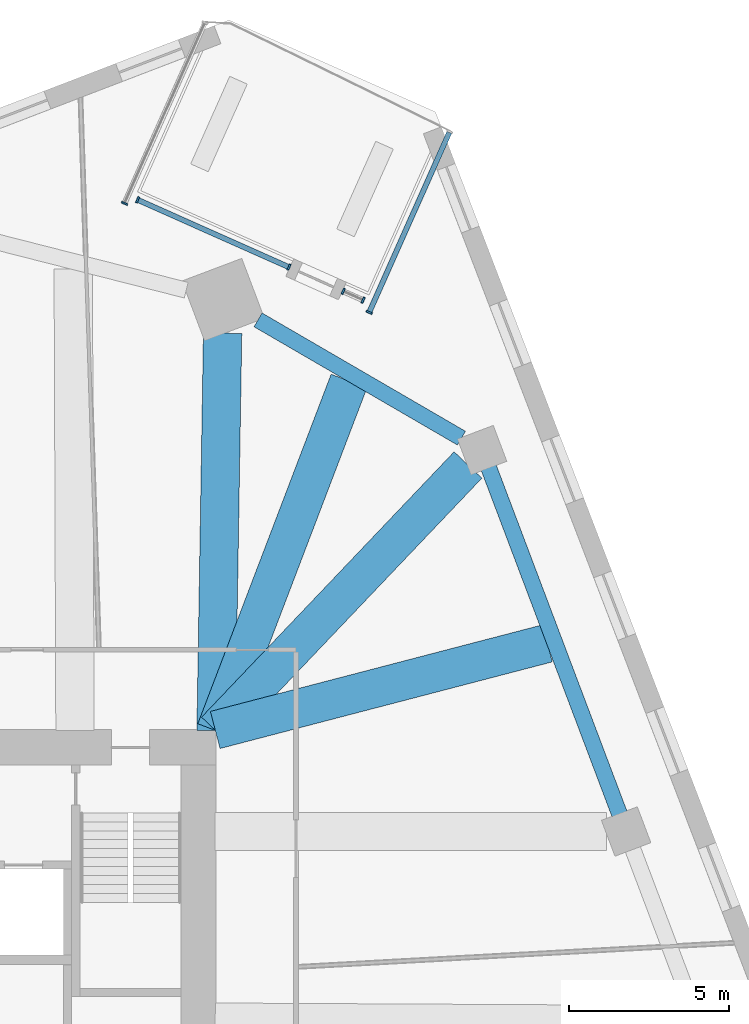
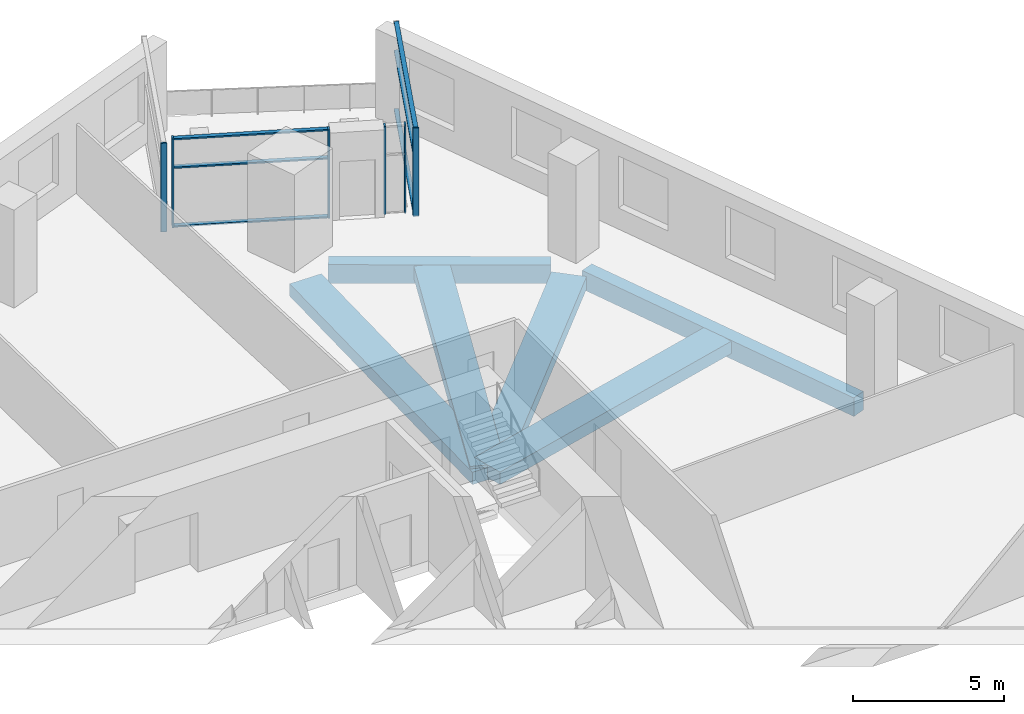
# One storey, part 2 of 14: 12 members, 6 beams, 4 elements without a shape of their own.
"""IFC4 building model written with IfcOpenShell, lengths in metres."""

from ifc_helpers import new_model, si_unit, direction, frame, origin, origin_2d, place, context, subcontext, project, spatial, rectangle, extrude, material, material_profile, profile_set, type_object, element, aggregate, save


model = new_model("IFC4")

# Units and contexts
model_context = context("Model", 3, precision=1e-05, world=origin(), true_north=direction((0.0, 1.0)))
body_context = subcontext(model_context, "Body", "Model", "MODEL_VIEW")
ifc_project = project(units=[si_unit("LENGTHUNIT", "METRE"), si_unit("AREAUNIT", "SQUARE_METRE"), si_unit("VOLUMEUNIT", "CUBIC_METRE"), si_unit("PLANEANGLEUNIT", "RADIAN"), si_unit("MASSUNIT", "GRAM", prefix="KILO")], contexts=[model_context])

# Site, building, storey
site_placement = place(None, origin())
site = spatial("IfcSite", under=ifc_project, at=site_placement, CompositionType="ELEMENT")
building_placement = place(site_placement, origin())
building = spatial("IfcBuilding", under=site, at=building_placement, Name="Dilmun Exchange Tower", CompositionType="ELEMENT")
storey_placement = place(building_placement, frame((0.0, 0.0, 110.10009765625)))
storey = spatial("IfcBuildingStorey", under=building, at=storey_placement, Name="L25", CompositionType="ELEMENT", Elevation=110.10009765625)

# Curtain wall, member
ifc_material_1 = material(Name="Anodised aluminium and clear glass", Category="aluminium")
curtain_wall_type = type_object("IfcCurtainWallType", Name="Garden corner glazing", PredefinedType="NOTDEFINED", material=ifc_material_1)
curtain_wall_1_placement = place(storey_placement, origin())
curtain_wall_1 = element("IfcCurtainWall", 1, at=curtain_wall_1_placement, inside=storey, type_object=curtain_wall_type, Name="Garden corner glazing run GC1.1", PredefinedType="NOTDEFINED")
ifc_material_2 = material(Name="Anodised aluminium", Category="aluminium")
ifc_material_profile_1 = material_profile(ifc_material_2, rectangle(XDim=0.199951171875, YDim=0.06005859375, at=origin_2d()), Name="AL 60x200")
ifc_profile_set_1 = profile_set([ifc_material_profile_1], Name="Anodised aluminium")
member_type_1 = type_object("IfcMemberType", Name="Garden corner glazing mullion 60 x 200", PredefinedType="MULLION", material=ifc_profile_set_1)
member_1_placement = place(storey_placement, frame((17.689697265625, 25.95556640625, 0.0), z_axis=(0.0, 0.0, 1.0), x_axis=(0.913542660018, -0.406742926585, 0.0)))
member_1 = element("IfcMember", 2, at=member_1_placement, type_object=member_type_1, Name="GC1.1 mullion 2", PredefinedType="MULLION", context=body_context, shape_type="SweptSolid", body=[
    extrude(rectangle(XDim=0.199951171875, YDim=0.06005859375, at=origin_2d()), origin(), (0.0, 0.0, 1.0), 3.579833984375),
])

# Curtain wall, members
curtain_wall_2_placement = place(storey_placement, origin())
curtain_wall_2 = element("IfcCurtainWall", 3, at=curtain_wall_2_placement, inside=storey, type_object=curtain_wall_type, Name="Garden corner glazing run GC2.1", PredefinedType="NOTDEFINED")
member_2_placement = place(storey_placement, frame((17.498046875, 26.33642578125, 0.0), z_axis=(0.0, 0.0, 1.0), x_axis=(-0.406828767469, -0.913504435654, 0.0)))
member_2 = element("IfcMember", 4, at=member_2_placement, type_object=member_type_1, Name="GC2.1 mullion 1", PredefinedType="MULLION", context=body_context, shape_type="SweptSolid", body=[
    extrude(rectangle(XDim=0.199951171875, YDim=0.06005859375, at=origin_2d()), origin(), (0.0, 0.0, 1.0), 3.579833984375),
])
member_3_placement = place(storey_placement, frame((16.877685546875, 26.61279296875, 0.0), z_axis=(0.0, 0.0, 1.0), x_axis=(-0.406828767469, -0.913504435654, 0.0)))
member_3 = element("IfcMember", 5, at=member_3_placement, type_object=member_type_1, Name="GC2.1 mullion 2", PredefinedType="MULLION", context=body_context, shape_type="SweptSolid", body=[
    extrude(rectangle(XDim=0.199951171875, YDim=0.06005859375, at=origin_2d()), origin(), (0.0, 0.0, 1.0), 3.579833984375),
])
aggregate(curtain_wall_2, [member_2, member_3])

curtain_wall_3_placement = place(storey_placement, origin())
curtain_wall_3 = element("IfcCurtainWall", 6, at=curtain_wall_3_placement, inside=storey, type_object=curtain_wall_type, Name="Garden corner glazing run GC2.3", PredefinedType="NOTDEFINED")
member_4_placement = place(storey_placement, frame((15.178466796875, 27.369140625, 0.0), z_axis=(0.0, 0.0, 1.0), x_axis=(-0.406735207683, -0.913546096719, 0.0)))
member_4 = element("IfcMember", 7, at=member_4_placement, type_object=member_type_1, Name="GC2.3 mullion 1", PredefinedType="MULLION", context=body_context, shape_type="SweptSolid", body=[
    extrude(rectangle(XDim=0.199951171875, YDim=0.06005859375, at=origin_2d()), origin(), (0.0, 0.0, 1.0), 3.579833984375),
])
member_5_placement = place(storey_placement, frame((10.447265625, 29.4755859375, 0.0), z_axis=(0.0, 0.0, 1.0), x_axis=(-0.406735207683, -0.913546096719, 0.0)))
member_5 = element("IfcMember", 8, at=member_5_placement, type_object=member_type_1, Name="GC2.3 mullion 2", PredefinedType="MULLION", context=body_context, shape_type="SweptSolid", body=[
    extrude(rectangle(XDim=0.199951171875, YDim=0.06005859375, at=origin_2d()), origin(), (0.0, 0.0, 1.0), 3.579833984375),
])

# Curtain wall, member
curtain_wall_4_placement = place(storey_placement, origin())
curtain_wall_4 = element("IfcCurtainWall", 9, at=curtain_wall_4_placement, inside=storey, type_object=curtain_wall_type, Name="Garden corner glazing run GC3.1", PredefinedType="NOTDEFINED")
member_6_placement = place(storey_placement, frame((10.035888671875, 29.36328125, 0.0), z_axis=(0.0, 0.0, 1.0), x_axis=(-0.913542660018, 0.406742926585, 0.0)))
member_6 = element("IfcMember", 10, at=member_6_placement, type_object=member_type_1, Name="GC3.1 mullion 1", PredefinedType="MULLION", context=body_context, shape_type="SweptSolid", body=[
    extrude(rectangle(XDim=0.199951171875, YDim=0.06005859375, at=origin_2d()), origin(), (0.0, 0.0, 1.0), 3.579833984375),
])
aggregate(curtain_wall_4, [member_6])

# Member
ifc_material_profile_2 = material_profile(ifc_material_2, rectangle(XDim=0.159912109375, YDim=0.06005859375, at=origin_2d()), Name="AL 60x160")
ifc_profile_set_2 = profile_set([ifc_material_profile_2], Name="Anodised aluminium")
member_type_2 = type_object("IfcMemberType", Name="Garden corner glazing transom 60 x 160", PredefinedType="USERDEFINED", material=ifc_profile_set_2)
member_7_placement = place(storey_placement, frame((20.19384765625, 31.579833984375, 0.02978515625), z_axis=(-0.406741045913, -0.91354349736, 0.0), x_axis=(0.91354349736, -0.406741045913, 0.0)))
member_7 = element("IfcMember", 11, at=member_7_placement, type_object=member_type_2, Name="GC1.1 transom 1.1", ObjectType="TRANSOM", PredefinedType="USERDEFINED", context=body_context, shape_type="SweptSolid", body=[
    extrude(rectangle(XDim=0.159912109375, YDim=0.06005859375, at=origin_2d()), origin(), (0.0, 0.0, 1.0), 6.126708984375),
])

member_8_placement = place(storey_placement, frame((20.19384765625, 31.579833984375, 2.39990234375), z_axis=(-0.406741045913, -0.91354349736, 0.0), x_axis=(0.91354349736, -0.406741045913, 0.0)))
member_8 = element("IfcMember", 12, at=member_8_placement, type_object=member_type_2, Name="GC1.1 transom 1.2", ObjectType="TRANSOM", PredefinedType="USERDEFINED", context=body_context, shape_type="SweptSolid", body=[
    extrude(rectangle(XDim=0.159912109375, YDim=0.06005859375, at=origin_2d()), origin(), (0.0, 0.0, 1.0), 6.126708984375),
])

member_9_placement = place(storey_placement, frame((20.19384765625, 31.579833984375, 3.5498046875), z_axis=(-0.406741045913, -0.91354349736, 0.0), x_axis=(0.91354349736, -0.406741045913, 0.0)))
member_9 = element("IfcMember", 13, at=member_9_placement, type_object=member_type_2, Name="GC1.1 transom 1.3", ObjectType="TRANSOM", PredefinedType="USERDEFINED", context=body_context, shape_type="SweptSolid", body=[
    extrude(rectangle(XDim=0.159912109375, YDim=0.06005859375, at=origin_2d()), origin(), (0.0, 0.0, 1.0), 6.126708984375),
])

aggregate(curtain_wall_1, [member_1, member_7, member_8, member_9])

member_10_placement = place(storey_placement, frame((15.151123046875, 27.38134765625, 0.02978515625), z_axis=(-0.913551756856, 0.406722494517, 0.0), x_axis=(-0.406722494517, -0.913551756856, 0.0)))
member_10 = element("IfcMember", 14, at=member_10_placement, type_object=member_type_2, Name="GC2.3 transom 1.1", ObjectType="TRANSOM", PredefinedType="USERDEFINED", context=body_context, shape_type="SweptSolid", body=[
    extrude(rectangle(XDim=0.159912109375, YDim=0.06005859375, at=origin_2d()), origin(), (0.0, 0.0, 1.0), 5.119140625),
])

member_11_placement = place(storey_placement, frame((15.151123046875, 27.38134765625, 2.39990234375), z_axis=(-0.913551756856, 0.406722494517, 0.0), x_axis=(-0.406722494517, -0.913551756856, 0.0)))
member_11 = element("IfcMember", 15, at=member_11_placement, type_object=member_type_2, Name="GC2.3 transom 1.2", ObjectType="TRANSOM", PredefinedType="USERDEFINED", context=body_context, shape_type="SweptSolid", body=[
    extrude(rectangle(XDim=0.159912109375, YDim=0.06005859375, at=origin_2d()), origin(), (0.0, 0.0, 1.0), 5.119140625),
])

member_12_placement = place(storey_placement, frame((15.151123046875, 27.38134765625, 3.5498046875), z_axis=(-0.913551756856, 0.406722494517, 0.0), x_axis=(-0.406722494517, -0.913551756856, 0.0)))
member_12 = element("IfcMember", 16, at=member_12_placement, type_object=member_type_2, Name="GC2.3 transom 1.3", ObjectType="TRANSOM", PredefinedType="USERDEFINED", context=body_context, shape_type="SweptSolid", body=[
    extrude(rectangle(XDim=0.159912109375, YDim=0.06005859375, at=origin_2d()), origin(), (0.0, 0.0, 1.0), 5.119140625),
])

aggregate(curtain_wall_3, [member_4, member_5, member_10, member_11, member_12])

# Beams
ifc_material_3 = material(Name="Concrete C40/50", Category="concrete")
ifc_material_profile_3 = material_profile(ifc_material_3, rectangle(XDim=1.199951171875, YDim=0.5, at=origin_2d()), Name="1200 x 500")
ifc_profile_set_3 = profile_set([ifc_material_profile_3], Name="Concrete C40/50")
beam_type_1 = type_object("IfcBeamType", Name="RC band beam 1200 x 500 C40/50", PredefinedType="BEAM", material=ifc_profile_set_3)
beam_1_placement = place(storey_placement, frame((13.104736328125, 25.305419921875, -0.77001953125), z_axis=(-0.016493249431, -0.99986397711, 0.0), x_axis=(0.99986397711, -0.016493249431, 0.0)))
element("IfcBeam", 17, at=beam_1_placement, inside=storey, type_object=beam_type_1, Name="Band beam 1", PredefinedType="BEAM", context=body_context, shape_type="SweptSolid", body=[
    extrude(rectangle(XDim=1.199951171875, YDim=0.5, at=origin_2d()), origin(), (0.0, 0.0, 1.0), 12.43408203125),
])
beam_2_placement = place(storey_placement, frame((20.780517578125, 21.181884765625, -0.77001953125), z_axis=(-0.689333244672, -0.724444392476, 0.0), x_axis=(0.724444392476, -0.689333244672, 0.0)))
element("IfcBeam", 18, at=beam_2_placement, inside=storey, type_object=beam_type_1, Name="Band beam 16", PredefinedType="BEAM", context=body_context, shape_type="SweptSolid", body=[
    extrude(rectangle(XDim=1.199951171875, YDim=0.5, at=origin_2d()), origin(), (0.0, 0.0, 1.0), 11.459228515625),
])
beam_3_placement = place(storey_placement, frame((23.264892578125, 15.602294921875, -0.670166015625), z_axis=(-0.967651305888, -0.252291399404, 0.0), x_axis=(0.252291399404, -0.967651305888, 0.0)))
element("IfcBeam", 19, at=beam_3_placement, inside=storey, type_object=beam_type_1, Name="Band beam 31", PredefinedType="BEAM", context=body_context, shape_type="SweptSolid", body=[
    extrude(rectangle(XDim=1.199951171875, YDim=0.5, at=origin_2d()), origin(), (0.0, 0.0, 1.0), 10.738525390625),
])
beam_4_placement = place(storey_placement, frame((17.059326171875, 23.806640625, -0.670166015625), z_axis=(-0.356325045493, -0.934362061491, 0.0), x_axis=(0.934362061491, -0.356325045493, 0.0)))
element("IfcBeam", 20, at=beam_4_placement, inside=storey, type_object=beam_type_1, Name="Band beam 32", PredefinedType="BEAM", context=body_context, shape_type="SweptSolid", body=[
    extrude(rectangle(XDim=1.199951171875, YDim=0.5, at=origin_2d()), origin(), (0.0, 0.0, 1.0), 11.699951171875),
])
ifc_material_profile_4 = material_profile(ifc_material_3, rectangle(XDim=0.5, YDim=0.75, at=origin_2d()), Name="500 x 750")
ifc_profile_set_4 = profile_set([ifc_material_profile_4], Name="Concrete C40/50")
beam_type_2 = type_object("IfcBeamType", Name="RC ring beam 500 x 750 C40/50", PredefinedType="SPANDREL", material=ifc_profile_set_4)
beam_5_placement = place(storey_placement, frame((25.5234375, 10.2529296875, -0.795166015625), z_axis=(-0.353303601311, 0.935508720056, 0.0), x_axis=(-0.935508720056, -0.353303601311, 0.0)))
element("IfcBeam", 21, at=beam_5_placement, inside=storey, type_object=beam_type_2, Name="Ring beam 15", PredefinedType="SPANDREL", context=body_context, shape_type="SweptSolid", body=[
    extrude(rectangle(XDim=0.5, YDim=0.75, at=origin_2d()), origin(), (0.0, 0.0, 1.0), 11.604248046875),
])
beam_6_placement = place(storey_placement, frame((20.57568359375, 22.020263671875, -0.795166015625), z_axis=(-0.864503499359, 0.50262679952, 0.0), x_axis=(-0.50262679952, -0.864503499359, 0.0)))
element("IfcBeam", 22, at=beam_6_placement, inside=storey, type_object=beam_type_2, Name="Ring beam 16", PredefinedType="SPANDREL", context=body_context, shape_type="SweptSolid", body=[
    extrude(rectangle(XDim=0.5, YDim=0.75, at=origin_2d()), origin(), (0.0, 0.0, 1.0), 7.35986328125),
])

save(model, "model.ifc")
